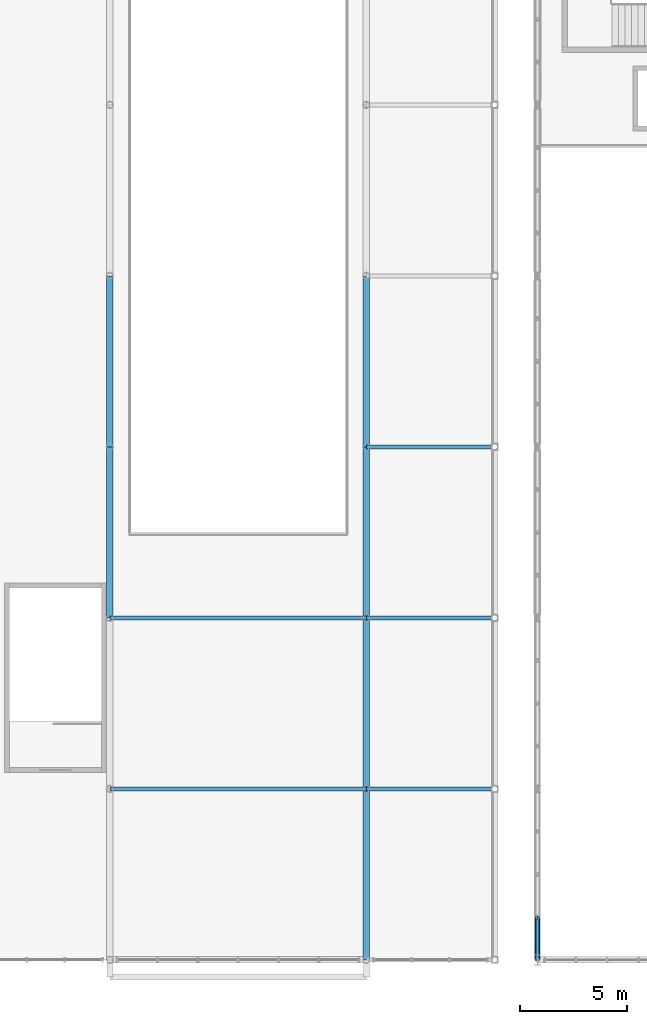
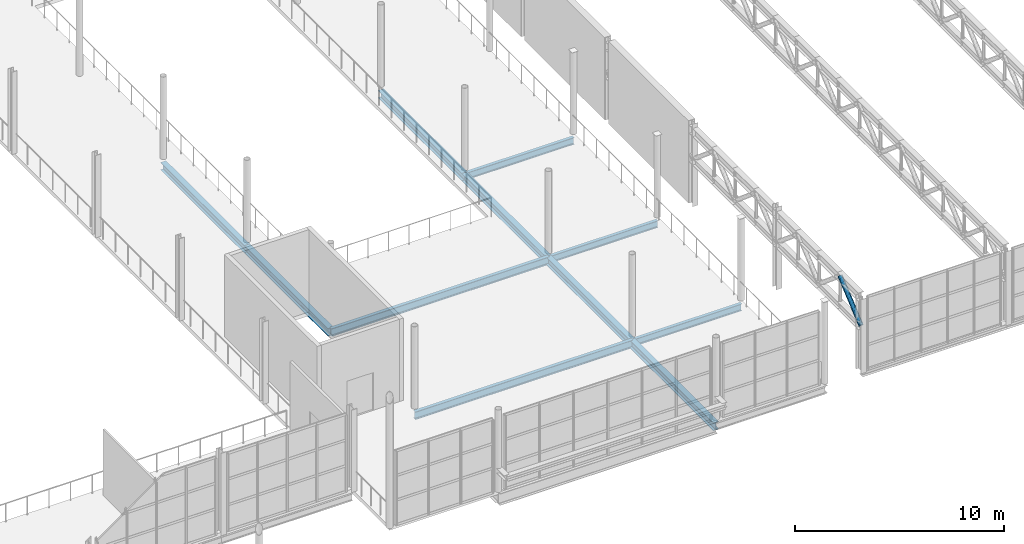
# One storey, part 36 of 143: 11 beams, 1 member.
"""IFC4 building model written with IfcOpenShell, lengths in metres."""

from ifc_helpers import new_model, si_unit, derived_unit, direction, frame, origin, origin_2d, place, context, subcontext, project, spatial, hollow_circle, i_section, extrude, material, material_profile, profile_set, type_object, element, save


model = new_model("IFC4")

# Units and contexts
model_context = context("Model", 3, precision=1e-05, world=origin(), true_north=direction((0.0, 1.0)))
body_context = subcontext(model_context, "Body", "Model", "MODEL_VIEW")
ifc_project = project(units=[si_unit("LENGTHUNIT", "METRE"), si_unit("AREAUNIT", "SQUARE_METRE"), si_unit("VOLUMEUNIT", "CUBIC_METRE"), si_unit("PLANEANGLEUNIT", "RADIAN"), si_unit("MASSUNIT", "GRAM", prefix="KILO"), derived_unit("THERMALTRANSMITTANCEUNIT", [(si_unit("POWERUNIT", "WATT"), 1), (si_unit("LENGTHUNIT", "METRE"), -2), (si_unit("THERMODYNAMICTEMPERATUREUNIT", "KELVIN"), -1)])], contexts=[model_context])

# Site, building, storey
site_placement = place(None, origin())
site = spatial("IfcSite", under=ifc_project, at=site_placement, CompositionType="ELEMENT")
building_placement = place(site_placement, origin())
building = spatial("IfcBuilding", under=site, at=building_placement, Name="Keldorne Ridge Multi-Sports Centre", CompositionType="ELEMENT")
storey_placement = place(building_placement, frame((0.0, 0.0, 4.800048828125)))
storey = spatial("IfcBuildingStorey", under=building, at=storey_placement, Name="L01", CompositionType="ELEMENT", Elevation=4.800048828125)

# Beams
ifc_material = material(Name="Steel S355", Category="steel")
ifc_material_profile_1 = material_profile(ifc_material, i_section(OverallWidth=0.18994140625, OverallDepth=0.449951171875, WebThickness=0.009521484375, FlangeThickness=0.0146484375, FilletRadius=0.02099609375, at=origin_2d()), Name="IPE 450")
ifc_profile_set_1 = profile_set([ifc_material_profile_1], Name="Steel S355")
beam_type_1 = type_object("IfcBeamType", Name="BM-B-03", PredefinedType="BEAM", material=ifc_profile_set_1)
for number, where, z_axis, x_axis, name in (
    (1, (84.0, 14.0, -0.445068359375), (1.0, 0.0, 0.0), (0.0, 1.0, 0.0), "L01 bridge cross beam 2"),
    (2, (84.0, 22.0, -0.445068359375), (1.0, 0.0, 0.0), (0.0, 1.0, 0.0), "L01 bridge cross beam 3"),
):
    element("IfcBeam", number, at=place(storey_placement, frame(where, z_axis=z_axis, x_axis=x_axis)), inside=storey, type_object=beam_type_1, Name=name, PredefinedType="BEAM", context=body_context, shape_type="SweptSolid", body=[
        extrude(i_section(OverallWidth=0.18994140625, OverallDepth=0.449951171875, WebThickness=0.009521484375, FlangeThickness=0.0146484375, FilletRadius=0.02099609375, at=origin_2d()), origin(), (0.0, 0.0, 1.0), 12.0),
    ])
ifc_material_profile_2 = material_profile(ifc_material, i_section(OverallWidth=0.179931640625, OverallDepth=0.39990234375, WebThickness=0.008544921875, FlangeThickness=0.013427734375, FilletRadius=0.02099609375, at=origin_2d()), Name="IPE 400")
ifc_profile_set_2 = profile_set([ifc_material_profile_2], Name="Steel S355")
beam_type_2 = type_object("IfcBeamType", Name="BM-B-04", PredefinedType="BEAM", material=ifc_profile_set_2)
for number, where, z_axis, x_axis, name in (
    (3, (96.0, 14.0, -0.420166015625), (1.0, 0.0, 0.0), (0.0, 1.0, 0.0), "L01 east gallery beam 2"),
    (4, (96.0, 22.0, -0.420166015625), (1.0, 0.0, 0.0), (0.0, 1.0, 0.0), "L01 east gallery beam 3"),
    (5, (96.0, 30.0, -0.420166015625), (1.0, 0.0, 0.0), (0.0, 1.0, 0.0), "L01 east gallery beam 4"),
):
    element("IfcBeam", number, at=place(storey_placement, frame(where, z_axis=z_axis, x_axis=x_axis)), inside=storey, type_object=beam_type_2, Name=name, PredefinedType="BEAM", context=body_context, shape_type="SweptSolid", body=[
        extrude(i_section(OverallWidth=0.179931640625, OverallDepth=0.39990234375, WebThickness=0.008544921875, FlangeThickness=0.013427734375, FilletRadius=0.02099609375, at=origin_2d()), origin(), (0.0, 0.0, 1.0), 6.0),
    ])
ifc_material_profile_3 = material_profile(ifc_material, i_section(OverallWidth=0.300048828125, OverallDepth=0.449951171875, WebThickness=0.013916015625, FlangeThickness=0.02587890625, FilletRadius=0.027099609375, at=origin_2d()), Name="HEB 450")
ifc_profile_set_3 = profile_set([ifc_material_profile_3], Name="Steel S355")
beam_type_3 = type_object("IfcBeamType", Name="BM-B-11", PredefinedType="BEAM", material=ifc_profile_set_3)
for number, where, z_axis, x_axis, name in (
    (6, (96.0, 6.0, -0.445068359375), (0.0, 1.0, 0.0), (-1.0, 0.0, 0.0), "L01 passage girder G14.1"),
    (7, (96.0, 14.0, -0.445068359375), (0.0, 1.0, 0.0), (-1.0, 0.0, 0.0), "L01 passage girder G14.2"),
    (8, (84.0, 22.0, -0.445068359375), (0.0, 1.0, 0.0), (-1.0, 0.0, 0.0), "L01 passage girder G12.3"),
    (9, (96.0, 22.0, -0.445068359375), (0.0, 1.0, 0.0), (-1.0, 0.0, 0.0), "L01 passage girder G14.3"),
    (10, (84.0, 30.0, -0.445068359375), (0.0, 1.0, 0.0), (-1.0, 0.0, 0.0), "L01 passage girder G12.4"),
    (11, (96.0, 30.0, -0.445068359375), (0.0, 1.0, 0.0), (-1.0, 0.0, 0.0), "L01 passage girder G14.4"),
):
    element("IfcBeam", number, at=place(storey_placement, frame(where, z_axis=z_axis, x_axis=x_axis)), inside=storey, type_object=beam_type_3, Name=name, PredefinedType="BEAM", context=body_context, shape_type="SweptSolid", body=[
        extrude(i_section(OverallWidth=0.300048828125, OverallDepth=0.449951171875, WebThickness=0.013916015625, FlangeThickness=0.02587890625, FilletRadius=0.027099609375, at=origin_2d()), origin(), (0.0, 0.0, 1.0), 8.0),
    ])

# Member
ifc_material_profile_4 = material_profile(ifc_material, hollow_circle(Radius=0.122314453125, WallThickness=0.012451171875, at=origin_2d()), Name="CHS 244.5x12.5")
ifc_profile_set_4 = profile_set([ifc_material_profile_4], Name="Steel S355")
member_type = type_object("IfcMemberType", Name="MEM-TD-02", PredefinedType="BRACE", material=ifc_profile_set_4)
member_placement = place(storey_placement, frame((104.0, 6.0, 2.6298828125), z_axis=(0.0, 0.765671721121, 0.643231541108), x_axis=(-1.0, 0.0, 0.0)))
element("IfcMember", 12, at=member_placement, inside=storey, type_object=member_type, Name="Stacked Courts Warren TRUSS WT-L02-01 diagonal 1", PredefinedType="BRACE", context=body_context, shape_type="SweptSolid", body=[
    extrude(hollow_circle(Radius=0.122314453125, WallThickness=0.012451171875, at=origin_2d()), origin(), (0.0, 0.0, 1.0), 2.612060546875),
])

save(model, "model.ifc")
